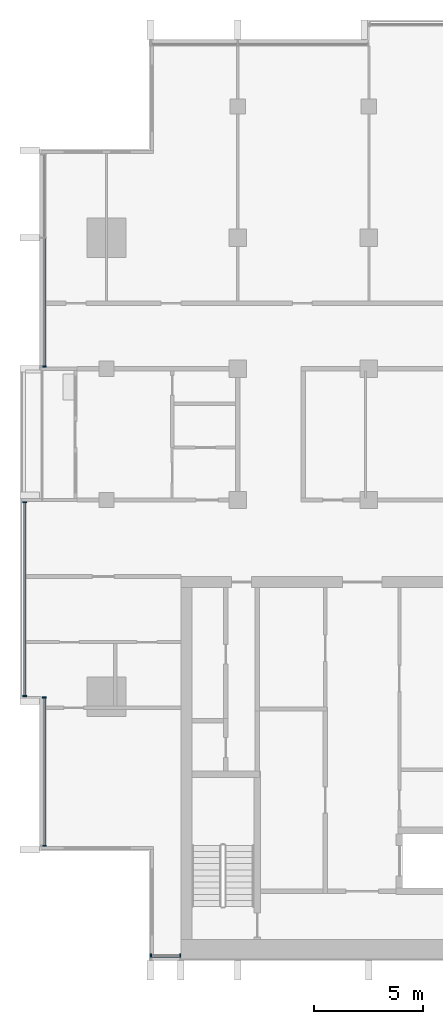
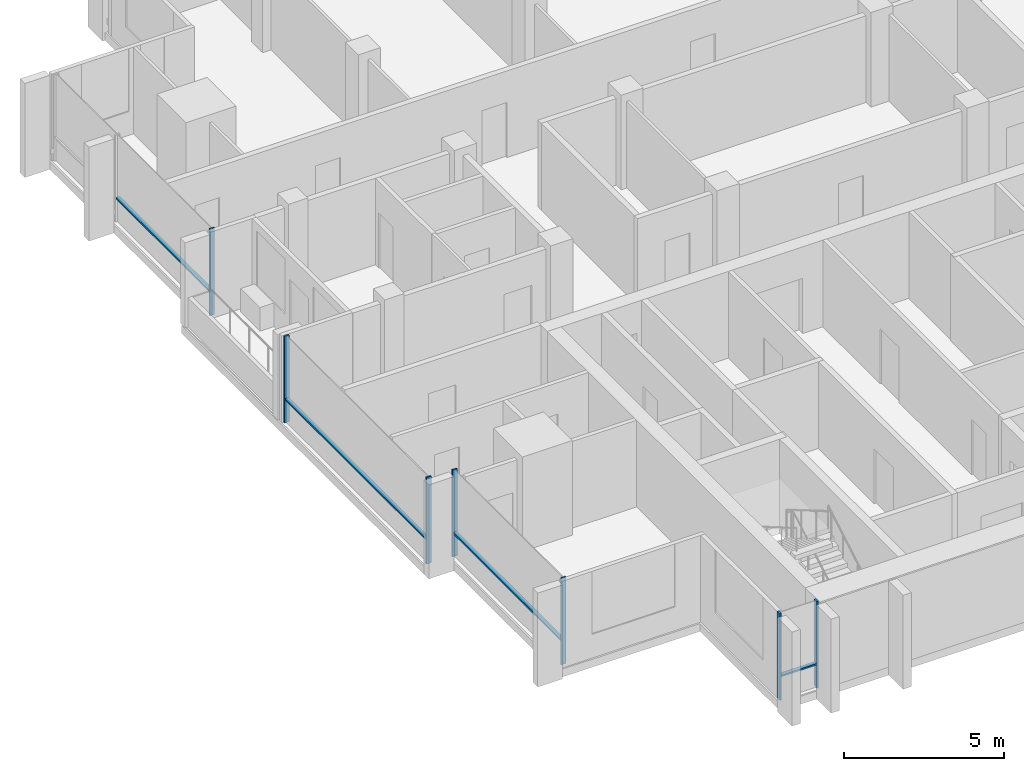
# One storey, part 2 of 15: 11 members, 4 elements without a shape of their own.
"""IFC4 building model written with IfcOpenShell, lengths in metres."""

from ifc_helpers import new_model, si_unit, direction, frame, origin, origin_2d, place, context, subcontext, project, spatial, rectangle, extrude, material, material_profile, profile_set, type_object, element, aggregate, save


model = new_model("IFC4")

# Units and contexts
model_context = context("Model", 3, precision=1e-05, world=origin(), true_north=direction((0.0, 1.0)))
body_context = subcontext(model_context, "Body", "Model", "MODEL_VIEW")
ifc_project = project(units=[si_unit("LENGTHUNIT", "METRE"), si_unit("AREAUNIT", "SQUARE_METRE"), si_unit("VOLUMEUNIT", "CUBIC_METRE"), si_unit("PLANEANGLEUNIT", "RADIAN"), si_unit("MASSUNIT", "GRAM", prefix="KILO")], contexts=[model_context])

# Site, building, storey
site_placement = place(None, origin())
site = spatial("IfcSite", under=ifc_project, at=site_placement, CompositionType="ELEMENT")
building_placement = place(site_placement, origin())
building = spatial("IfcBuilding", under=site, at=building_placement, Name="Finial Court Residences", CompositionType="ELEMENT")
storey_placement = place(building_placement, frame((0.0, 0.0, 266.300048828125)))
storey = spatial("IfcBuildingStorey", under=building, at=storey_placement, Name="L67", CompositionType="ELEMENT", Elevation=266.300048828125)

# Curtain wall, members
ifc_material = material(Name="Bronze anodised aluminium", Category="aluminium")
curtain_wall_type = type_object("IfcCurtainWallType", Name="Unitised curtain wall, upper zones", PredefinedType="NOTDEFINED", material=ifc_material)
curtain_wall_1_placement = place(storey_placement, origin())
curtain_wall_1 = element("IfcCurtainWall", 1, at=curtain_wall_1_placement, inside=storey, type_object=curtain_wall_type, Name="E-L67-CW-S8", PredefinedType="NOTDEFINED")
ifc_material_profile_1 = material_profile(ifc_material, rectangle(XDim=0.175048828125, YDim=0.06005859375, at=origin_2d()), Name="CW2 mullion 60 x 175")
ifc_profile_set_1 = profile_set([ifc_material_profile_1], Name="Bronze anodised aluminium")
member_type_1 = type_object("IfcMemberType", Name="CW2 mullion 60 x 175", PredefinedType="MULLION", material=ifc_profile_set_1)
member_1_placement = place(storey_placement, frame((-14.469970703125, -25.35009765625, 0.0), z_axis=(0.0, 0.0, 1.0), x_axis=(0.0, 1.0, 0.0)))
member_1 = element("IfcMember", 2, at=member_1_placement, type_object=member_type_1, Name="CW2 mullion 1", PredefinedType="MULLION", context=body_context, shape_type="SweptSolid", body=[
    extrude(rectangle(XDim=0.175048828125, YDim=0.06005859375, at=origin_2d()), origin(), (0.0, 0.0, 1.0), 3.300048828125),
])
member_2_placement = place(storey_placement, frame((-13.1298828125, -25.35009765625, 0.0), z_axis=(0.0, 0.0, 1.0), x_axis=(0.0, 1.0, 0.0)))
member_2 = element("IfcMember", 3, at=member_2_placement, type_object=member_type_1, Name="CW2 mullion 2", PredefinedType="MULLION", context=body_context, shape_type="SweptSolid", body=[
    extrude(rectangle(XDim=0.175048828125, YDim=0.06005859375, at=origin_2d()), origin(), (0.0, 0.0, 1.0), 3.300048828125),
])

curtain_wall_2_placement = place(storey_placement, origin())
curtain_wall_2 = element("IfcCurtainWall", 4, at=curtain_wall_2_placement, inside=storey, type_object=curtain_wall_type, Name="E-L67-CW-W10", PredefinedType="NOTDEFINED")
member_3_placement = place(storey_placement, frame((-19.35009765625, -20.320068359375, 0.0), z_axis=(0.0, 0.0, 1.0), x_axis=(-1.0, 0.0, 0.0)))
member_3 = element("IfcMember", 5, at=member_3_placement, type_object=member_type_1, Name="CW2 mullion 1", PredefinedType="MULLION", context=body_context, shape_type="SweptSolid", body=[
    extrude(rectangle(XDim=0.175048828125, YDim=0.06005859375, at=origin_2d()), origin(), (0.0, 0.0, 1.0), 3.300048828125),
])
member_4_placement = place(storey_placement, frame((-19.35009765625, -13.530029296875, 0.0), z_axis=(0.0, 0.0, 1.0), x_axis=(-1.0, 0.0, 0.0)))
member_4 = element("IfcMember", 6, at=member_4_placement, type_object=member_type_1, Name="CW2 mullion 2", PredefinedType="MULLION", context=body_context, shape_type="SweptSolid", body=[
    extrude(rectangle(XDim=0.175048828125, YDim=0.06005859375, at=origin_2d()), origin(), (0.0, 0.0, 1.0), 3.300048828125),
])

curtain_wall_3_placement = place(storey_placement, origin())
curtain_wall_3 = element("IfcCurtainWall", 7, at=curtain_wall_3_placement, inside=storey, type_object=curtain_wall_type, Name="E-L67-CW-W11", PredefinedType="NOTDEFINED")
member_5_placement = place(storey_placement, frame((-20.25, -13.469970703125, 0.0), z_axis=(0.0, 0.0, 1.0), x_axis=(-1.0, 0.0, 0.0)))
member_5 = element("IfcMember", 8, at=member_5_placement, type_object=member_type_1, Name="CW2 mullion 1", PredefinedType="MULLION", context=body_context, shape_type="SweptSolid", body=[
    extrude(rectangle(XDim=0.175048828125, YDim=0.06005859375, at=origin_2d()), origin(), (0.0, 0.0, 1.0), 3.300048828125),
])
member_6_placement = place(storey_placement, frame((-20.25, -4.60498046875, 0.0), z_axis=(0.0, 0.0, 1.0), x_axis=(-1.0, 0.0, 0.0)))
member_6 = element("IfcMember", 9, at=member_6_placement, type_object=member_type_1, Name="CW2 mullion 2", PredefinedType="MULLION", context=body_context, shape_type="SweptSolid", body=[
    extrude(rectangle(XDim=0.175048828125, YDim=0.06005859375, at=origin_2d()), origin(), (0.0, 0.0, 1.0), 3.300048828125),
])

# Curtain wall, member
curtain_wall_4_placement = place(storey_placement, origin())
curtain_wall_4 = element("IfcCurtainWall", 10, at=curtain_wall_4_placement, inside=storey, type_object=curtain_wall_type, Name="E-L67-CW-W12", PredefinedType="NOTDEFINED")
member_7_placement = place(storey_placement, frame((-19.35009765625, 1.60498046875, 0.0), z_axis=(0.0, 0.0, 1.0), x_axis=(-1.0, 0.0, 0.0)))
member_7 = element("IfcMember", 11, at=member_7_placement, type_object=member_type_1, Name="CW2 mullion 1", PredefinedType="MULLION", context=body_context, shape_type="SweptSolid", body=[
    extrude(rectangle(XDim=0.175048828125, YDim=0.06005859375, at=origin_2d()), origin(), (0.0, 0.0, 1.0), 3.300048828125),
])

# Member
ifc_material_profile_2 = material_profile(ifc_material, rectangle(XDim=0.139892578125, YDim=0.06005859375, at=origin_2d()), Name="CW2 transom 60 x 140")
ifc_profile_set_2 = profile_set([ifc_material_profile_2], Name="Bronze anodised aluminium")
member_type_2 = type_object("IfcMemberType", Name="CW2 transom 60 x 140", PredefinedType="USERDEFINED", material=ifc_profile_set_2)
member_8_placement = place(storey_placement, frame((-14.43994140625, -25.35009765625, 0.89990234375), z_axis=(1.0, 0.0, 0.0), x_axis=(0.0, 1.0, 0.0)))
member_8 = element("IfcMember", 12, at=member_8_placement, type_object=member_type_2, Name="CW2 transom 1.1", ObjectType="TRANSOM", PredefinedType="USERDEFINED", context=body_context, shape_type="SweptSolid", body=[
    extrude(rectangle(XDim=0.139892578125, YDim=0.06005859375, at=origin_2d()), origin(), (0.0, 0.0, 1.0), 1.280029296875),
])

aggregate(curtain_wall_1, [member_1, member_2, member_8])

member_9_placement = place(storey_placement, frame((-19.35009765625, -20.2900390625, 0.89990234375), z_axis=(0.0, 1.0, 0.0), x_axis=(-1.0, 0.0, 0.0)))
member_9 = element("IfcMember", 13, at=member_9_placement, type_object=member_type_2, Name="CW2 transom 1.1", ObjectType="TRANSOM", PredefinedType="USERDEFINED", context=body_context, shape_type="SweptSolid", body=[
    extrude(rectangle(XDim=0.139892578125, YDim=0.06005859375, at=origin_2d()), origin(), (0.0, 0.0, 1.0), 6.72998046875),
])

aggregate(curtain_wall_2, [member_3, member_4, member_9])

member_10_placement = place(storey_placement, frame((-20.25, -13.43994140625, 0.89990234375), z_axis=(0.0, 1.0, 0.0), x_axis=(-1.0, 0.0, 0.0)))
member_10 = element("IfcMember", 14, at=member_10_placement, type_object=member_type_2, Name="CW2 transom 1.1", ObjectType="TRANSOM", PredefinedType="USERDEFINED", context=body_context, shape_type="SweptSolid", body=[
    extrude(rectangle(XDim=0.139892578125, YDim=0.06005859375, at=origin_2d()), origin(), (0.0, 0.0, 1.0), 8.804931640625),
])

aggregate(curtain_wall_3, [member_5, member_6, member_10])

member_11_placement = place(storey_placement, frame((-19.35009765625, 1.635009765625, 0.89990234375), z_axis=(0.0, 1.0, 0.0), x_axis=(-1.0, 0.0, 0.0)))
member_11 = element("IfcMember", 15, at=member_11_placement, type_object=member_type_2, Name="CW2 transom 1.1", ObjectType="TRANSOM", PredefinedType="USERDEFINED", context=body_context, shape_type="SweptSolid", body=[
    extrude(rectangle(XDim=0.139892578125, YDim=0.06005859375, at=origin_2d()), origin(), (0.0, 0.0, 1.0), 5.8349609375),
])

aggregate(curtain_wall_4, [member_7, member_11])

save(model, "model.ifc")
